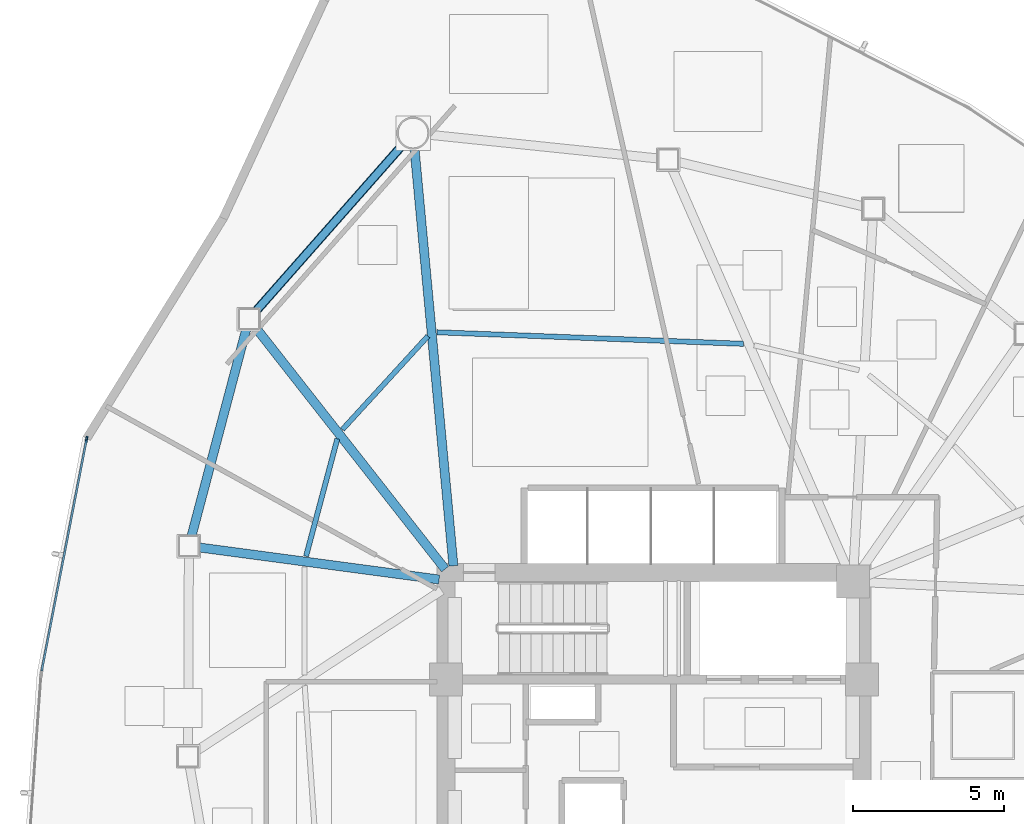
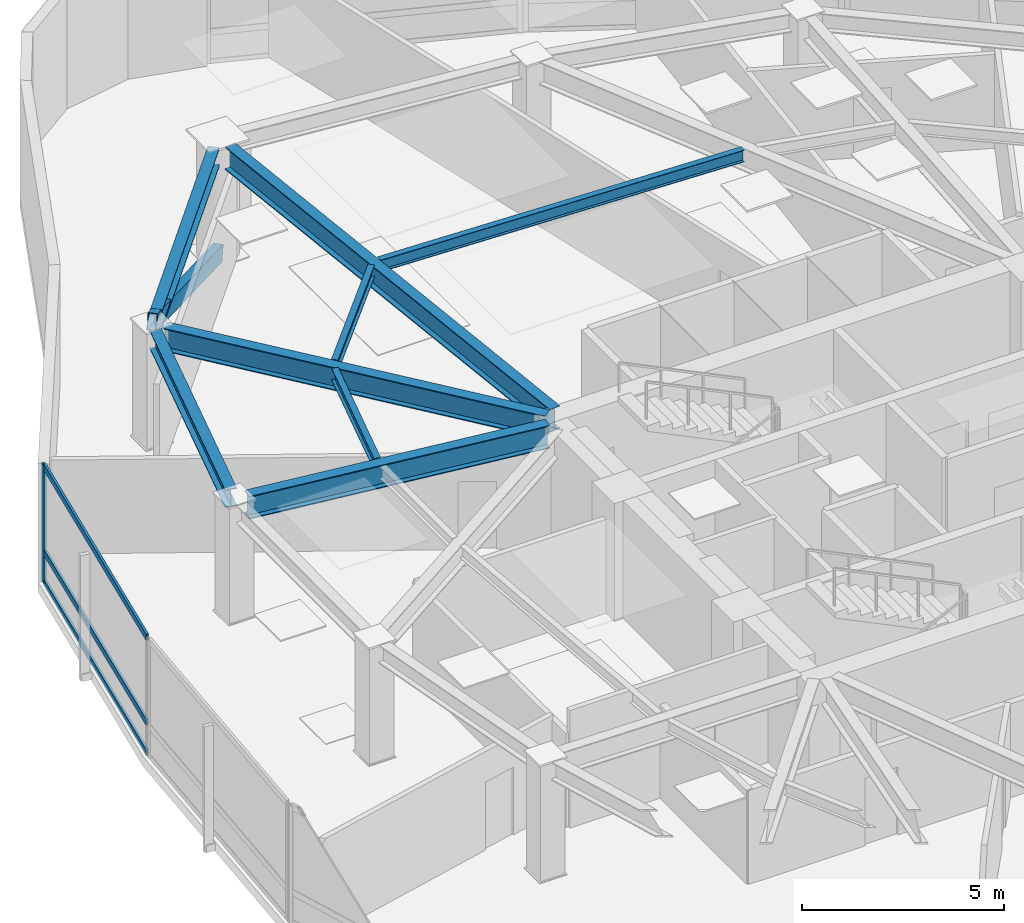
# One storey, part 7 of 17: 8 beams, 5 members, 1 element without a shape of its own.
"""IFC4 building model written with IfcOpenShell, lengths in metres."""

from ifc_helpers import new_model, si_unit, direction, frame, origin, origin_2d, place, context, subcontext, project, spatial, hollow_rectangle, i_section, extrude, source, transform, mapped, material, layer, layer_set, material_profile, profile_set, type_object, type_shapes, element, aggregate, save


model = new_model("IFC4")

# Units and contexts
model_context = context("Model", 3, precision=1e-05, world=origin(), true_north=direction((0.0, 1.0)))
body_context = subcontext(model_context, "Body", "Model", "MODEL_VIEW")
ifc_project = project(units=[si_unit("LENGTHUNIT", "METRE"), si_unit("AREAUNIT", "SQUARE_METRE"), si_unit("VOLUMEUNIT", "CUBIC_METRE"), si_unit("PLANEANGLEUNIT", "RADIAN"), si_unit("MASSUNIT", "GRAM", prefix="KILO")], contexts=[model_context])

# Site, building, storey
site_placement = place(None, origin())
site = spatial("IfcSite", under=ifc_project, at=site_placement, CompositionType="ELEMENT")
building_placement = place(site_placement, origin())
building = spatial("IfcBuilding", under=site, at=building_placement, Name="Tavelor Broadcast Tower", CompositionType="ELEMENT")
storey_placement = place(building_placement, frame((0.0, 0.0, 127.14990234375)))
storey = spatial("IfcBuildingStorey", under=building, at=storey_placement, Name="L29", CompositionType="ELEMENT", Elevation=127.14990234375)

# Beams
ifc_material_1 = material(Name="Steel S355", Category="steel")
ifc_material_profile_1 = material_profile(ifc_material_1, i_section(OverallWidth=0.169921875, OverallDepth=0.360107421875, WebThickness=0.008056640625, FlangeThickness=0.0126953125, at=origin_2d()), Name="IPE 360")
ifc_profile_set_1 = profile_set([ifc_material_profile_1], Name="Steel S355")
beam_type_1 = type_object("IfcBeamType", Name="Composite Floor Joist T3 IPE 360", PredefinedType="JOIST", material=ifc_profile_set_1)
beam_1_placement = place(storey_placement, frame((42.505126953125, 59.344970703125, 3.3701171875), z_axis=(-0.675177020038, -0.737655740581, 0.0), x_axis=(0.737655740581, -0.675177020038, 0.0)))
element("IfcBeam", 1, at=beam_1_placement, inside=storey, type_object=beam_type_1, Name="L29 Secondary Composite Floor Joist 01", PredefinedType="JOIST", context=body_context, shape_type="SweptSolid", body=[
    extrude(i_section(OverallWidth=0.169921875, OverallDepth=0.360107421875, WebThickness=0.008056640625, FlangeThickness=0.0126953125, at=origin_2d()), origin(), (0.0, 0.0, 1.0), 4.20068359375),
])
beam_2_placement = place(storey_placement, frame((39.5, 55.937744140625, 3.3701171875), z_axis=(-0.257647578953, -0.966238958571, 0.0), x_axis=(0.966238958571, -0.257647578953, 0.0)))
element("IfcBeam", 2, at=beam_2_placement, inside=storey, type_object=beam_type_1, Name="L29 Secondary Composite Floor Joist 02", PredefinedType="JOIST", context=body_context, shape_type="SweptSolid", body=[
    extrude(i_section(OverallWidth=0.169921875, OverallDepth=0.360107421875, WebThickness=0.008056640625, FlangeThickness=0.0126953125, at=origin_2d()), origin(), (0.0, 0.0, 1.0), 4.032958984375),
])
beam_3_placement = place(storey_placement, frame((52.969970703125, 59.08837890625, 3.3701171875), z_axis=(-0.999289376722, 0.037692725691, 0.0), x_axis=(-0.037692725691, -0.999289376722, 0.0)))
element("IfcBeam", 3, at=beam_3_placement, inside=storey, type_object=beam_type_1, Name="L29 Secondary Composite Floor Joist 18", PredefinedType="JOIST", context=body_context, shape_type="SweptSolid", body=[
    extrude(i_section(OverallWidth=0.169921875, OverallDepth=0.360107421875, WebThickness=0.008056640625, FlangeThickness=0.0126953125, at=origin_2d()), origin(), (0.0, 0.0, 1.0), 10.169189453125),
])
ifc_material_profile_2 = material_profile(ifc_material_1, i_section(OverallWidth=0.300048828125, OverallDepth=0.550048828125, WebThickness=0.014892578125, FlangeThickness=0.029052734375, at=origin_2d()), Name="HEB 550")
ifc_profile_set_2 = profile_set([ifc_material_profile_2], Name="Steel S355")
beam_type_2 = type_object("IfcBeamType", Name="Perimeter Spandrel Beam T3 HEB 550", PredefinedType="SPANDREL", material=ifc_profile_set_2)
beam_4_placement = place(storey_placement, frame((41.67236328125, 65.69580078125, 3.275146484375), z_axis=(-0.661628202511, -0.749832062292, 0.0), x_axis=(0.749832062292, -0.661628202511, 0.0)))
element("IfcBeam", 4, at=beam_4_placement, inside=storey, type_object=beam_type_2, Name="L29 Framed-Tube Ring Spandrel 01", PredefinedType="SPANDREL", context=body_context, shape_type="SweptSolid", body=[
    extrude(i_section(OverallWidth=0.300048828125, OverallDepth=0.550048828125, WebThickness=0.014892578125, FlangeThickness=0.029052734375, at=origin_2d()), origin(), (0.0, 0.0, 1.0), 7.379150390625),
])
beam_5_placement = place(storey_placement, frame((36.481689453125, 59.5859375, 3.275146484375), z_axis=(-0.255779440044, -0.966735164381, 0.0), x_axis=(0.966735164381, -0.255779440044, 0.0)))
element("IfcBeam", 5, at=beam_5_placement, inside=storey, type_object=beam_type_2, Name="L29 Framed-Tube Ring Spandrel 02", PredefinedType="SPANDREL", context=body_context, shape_type="SweptSolid", body=[
    extrude(i_section(OverallWidth=0.300048828125, OverallDepth=0.550048828125, WebThickness=0.014892578125, FlangeThickness=0.029052734375, at=origin_2d()), origin(), (0.0, 0.0, 1.0), 7.11865234375),
])

# Member
ifc_material_profile_3 = material_profile(ifc_material_1, hollow_rectangle(XDim=0.25, YDim=0.449951171875, WallThickness=0.02001953125, at=origin_2d()), Name="RHS 450x250x20")
ifc_profile_set_3 = profile_set([ifc_material_profile_3], Name="Steel S355")
member_type_1 = type_object("IfcMemberType", Name="Perimeter Tube Brace T3 RHS 450x250x20", PredefinedType="BRACE", material=ifc_profile_set_3)
member_1_placement = place(storey_placement, frame((42.01123046875, 66.080078125, 0.0), z_axis=(-0.607484590691, -0.688484352459, 0.396171387776), x_axis=(0.74983872131, -0.661620655681, 0.0)))
element("IfcMember", 6, at=member_1_placement, inside=storey, type_object=member_type_1, Name="L29 Corner Tube Diagonal Brace 1", PredefinedType="BRACE", context=body_context, shape_type="SweptSolid", body=[
    extrude(hollow_rectangle(XDim=0.25, YDim=0.449951171875, WallThickness=0.02001953125, at=origin_2d()), origin(), (0.0, 0.0, 1.0), 8.9609375),
])

# Beams
ifc_material_profile_4 = material_profile(ifc_material_1, i_section(OverallWidth=0.300048828125, OverallDepth=0.68994140625, WebThickness=0.014404296875, FlangeThickness=0.027099609375, at=origin_2d()), Name="HEA 700")
ifc_profile_set_4 = profile_set([ifc_material_profile_4], Name="Steel S355")
beam_type_3 = type_object("IfcBeamType", Name="Radial Floor Girder T3 HEA 700", PredefinedType="BEAM", material=ifc_profile_set_4)
beam_6_placement = place(storey_placement, frame((43.350830078125, 51.7255859375, 3.205078125), z_axis=(-0.092918079293, 0.995673757081, 0.0), x_axis=(-0.995673757081, -0.092918079293, 0.0)))
element("IfcBeam", 7, at=beam_6_placement, inside=storey, type_object=beam_type_3, Name="L29 Radial Primary Floor Girder 01", PredefinedType="BEAM", context=body_context, shape_type="SweptSolid", body=[
    extrude(i_section(OverallWidth=0.300048828125, OverallDepth=0.68994140625, WebThickness=0.014404296875, FlangeThickness=0.027099609375, at=origin_2d()), origin(), (0.0, 0.0, 1.0), 13.904541015625),
])
beam_7_placement = place(storey_placement, frame((43.07421875, 51.615478515625, 3.205078125), z_axis=(-0.617166360417, 0.786832690964, 0.0), x_axis=(-0.786832690964, -0.617166360417, 0.0)))
element("IfcBeam", 8, at=beam_7_placement, inside=storey, type_object=beam_type_3, Name="L29 Radial Primary Floor Girder 02", PredefinedType="BEAM", context=body_context, shape_type="SweptSolid", body=[
    extrude(i_section(OverallWidth=0.300048828125, OverallDepth=0.68994140625, WebThickness=0.014404296875, FlangeThickness=0.027099609375, at=origin_2d()), origin(), (0.0, 0.0, 1.0), 10.20654296875),
])
beam_8_placement = place(storey_placement, frame((42.876708984375, 51.27001953125, 3.205078125), z_axis=(-0.991191527329, 0.132436234281, 0.0), x_axis=(-0.132436234281, -0.991191527329, 0.0)))
element("IfcBeam", 9, at=beam_8_placement, inside=storey, type_object=beam_type_3, Name="L29 Radial Primary Floor Girder 03", PredefinedType="BEAM", context=body_context, shape_type="SweptSolid", body=[
    extrude(i_section(OverallWidth=0.300048828125, OverallDepth=0.68994140625, WebThickness=0.014404296875, FlangeThickness=0.027099609375, at=origin_2d()), origin(), (0.0, 0.0, 1.0), 8.039306640625),
])

# Curtain wall, members
ifc_material_2 = material(Name="Architectural Anodized Aluminium", Category="aluminium")
ifc_layer = layer(ifc_material_2, 0.18994140625)
ifc_layer_set = layer_set([ifc_layer], Name="Architectural Anodized Aluminium")
curtain_wall_type = type_object("IfcCurtainWallType", Name="Tower Mid-Zone Acoustic Curtain Wall CW03", PredefinedType="NOTDEFINED", material=ifc_layer_set)
curtain_wall_placement = place(storey_placement, origin())
curtain_wall = element("IfcCurtainWall", 10, at=curtain_wall_placement, inside=storey, type_object=curtain_wall_type, Name="L29 Curtain Wall CW03 Run 289", PredefinedType="NOTDEFINED")
ifc_material_profile_5 = material_profile(ifc_material_2, hollow_rectangle(XDim=0.068115234375, YDim=0.18994140625, WallThickness=0.02197265625, at=origin_2d()), Name="RHS 68x190x22")
ifc_profile_set_5 = profile_set([ifc_material_profile_5], Name="Architectural Anodized Aluminium")
member_type_2 = type_object("IfcMemberType", Name="CW03 Extruded Aluminium Mullion 68x190", PredefinedType="MULLION", material=ifc_profile_set_5)
shared_shape_1 = source(origin(), body_context, "Body", "SweptSolid", [
    extrude(hollow_rectangle(XDim=0.068115234375, YDim=0.18994140625, WallThickness=0.02197265625, at=origin_2d()), origin(), (0.0, 0.0, 1.0), 3.550048828125),
])
type_shapes(member_type_2, [shared_shape_1])
member_2_placement = place(storey_placement, frame((31.1826171875, 55.923828125, 0.0), z_axis=(0.0, 0.0, 1.0), x_axis=(0.981710794779, -0.190378348072, 0.0)))
member_2 = element("IfcMember", 11, at=member_2_placement, type_object=member_type_2, Name="CW03 mullion 1", PredefinedType="MULLION", context=body_context, shape_type="MappedRepresentation", body=[
    mapped(shared_shape_1, transform((0.0, 0.0, 0.0), scale=1.0)),
])
ifc_material_profile_6 = material_profile(ifc_material_2, hollow_rectangle(XDim=0.068115234375, YDim=0.18994140625, WallThickness=0.02197265625, at=origin_2d()), Name="RHS 68x190x22")
ifc_profile_set_6 = profile_set([ifc_material_profile_6], Name="Architectural Anodized Aluminium")
member_type_3 = type_object("IfcMemberType", Name="CW03 Extruded Aluminium Transom 68x190", PredefinedType="USERDEFINED", material=ifc_profile_set_6)
shared_shape_2 = source(origin(), body_context, "Body", "SweptSolid", [
    extrude(hollow_rectangle(XDim=0.068115234375, YDim=0.18994140625, WallThickness=0.02197265625, at=origin_2d()), origin(), (0.0, 0.0, 1.0), 7.8017578125),
])
type_shapes(member_type_3, [shared_shape_2])
member_3_placement = place(storey_placement, frame((31.17626953125, 55.890380859375, 0.0341796875), z_axis=(-0.190383845138, -0.981709728744, 0.0), x_axis=(0.981709728744, -0.190383845138, 0.0)))
member_3 = element("IfcMember", 12, at=member_3_placement, type_object=member_type_3, Name="CW03 transom 1.1", ObjectType="TRANSOM", PredefinedType="USERDEFINED", context=body_context, shape_type="MappedRepresentation", body=[
    mapped(shared_shape_2, transform((0.0, 0.0, 0.0), scale=1.0)),
])
member_4_placement = place(storey_placement, frame((31.17626953125, 55.890380859375, 0.9501953125), z_axis=(-0.190383845138, -0.981709728744, 0.0), x_axis=(0.981709728744, -0.190383845138, 0.0)))
member_4 = element("IfcMember", 13, at=member_4_placement, type_object=member_type_3, Name="CW03 transom 1.2", ObjectType="TRANSOM", PredefinedType="USERDEFINED", context=body_context, shape_type="MappedRepresentation", body=[
    mapped(shared_shape_2, transform((0.0, 0.0, 0.0), scale=1.0)),
])
member_5_placement = place(storey_placement, frame((31.17626953125, 55.890380859375, 3.51611328125), z_axis=(-0.190383845138, -0.981709728744, 0.0), x_axis=(0.981709728744, -0.190383845138, 0.0)))
member_5 = element("IfcMember", 14, at=member_5_placement, type_object=member_type_3, Name="CW03 transom 1.3", ObjectType="TRANSOM", PredefinedType="USERDEFINED", context=body_context, shape_type="MappedRepresentation", body=[
    mapped(shared_shape_2, transform((0.0, 0.0, 0.0), scale=1.0)),
])
aggregate(curtain_wall, [member_2, member_3, member_4, member_5])

save(model, "model.ifc")
